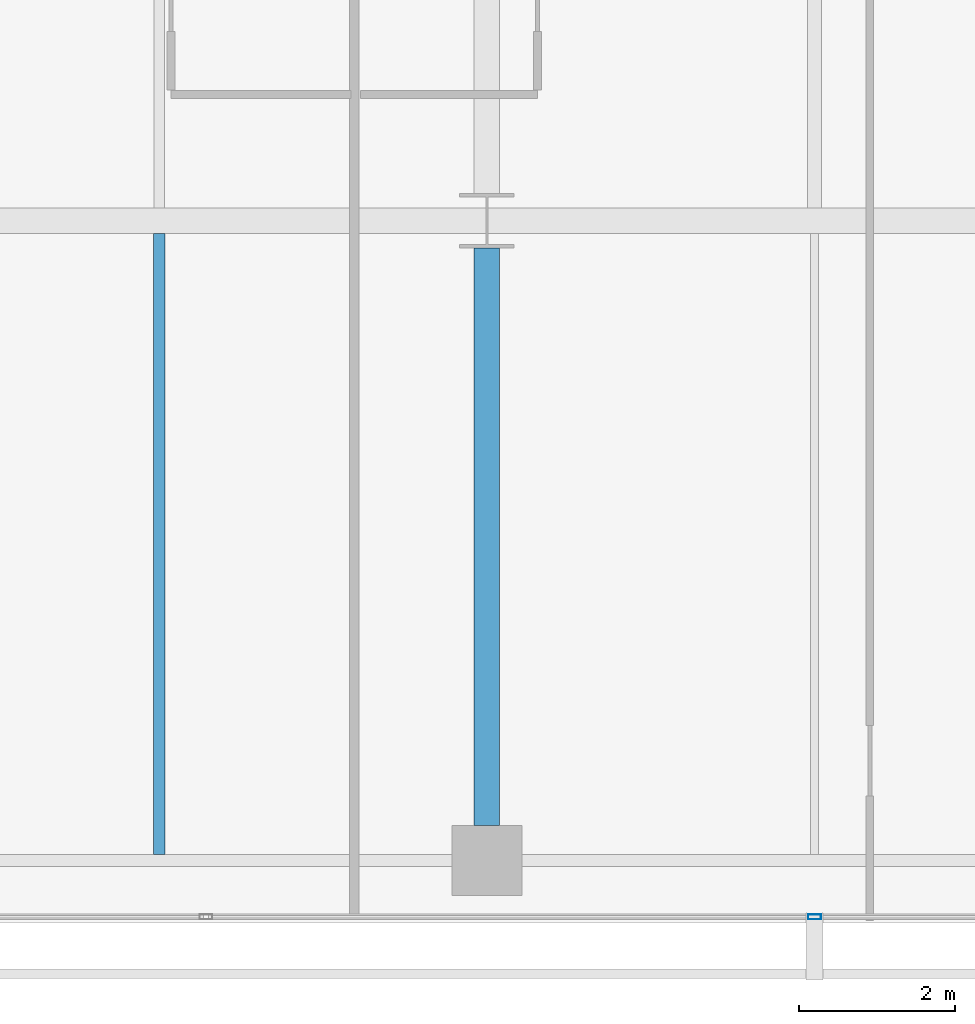
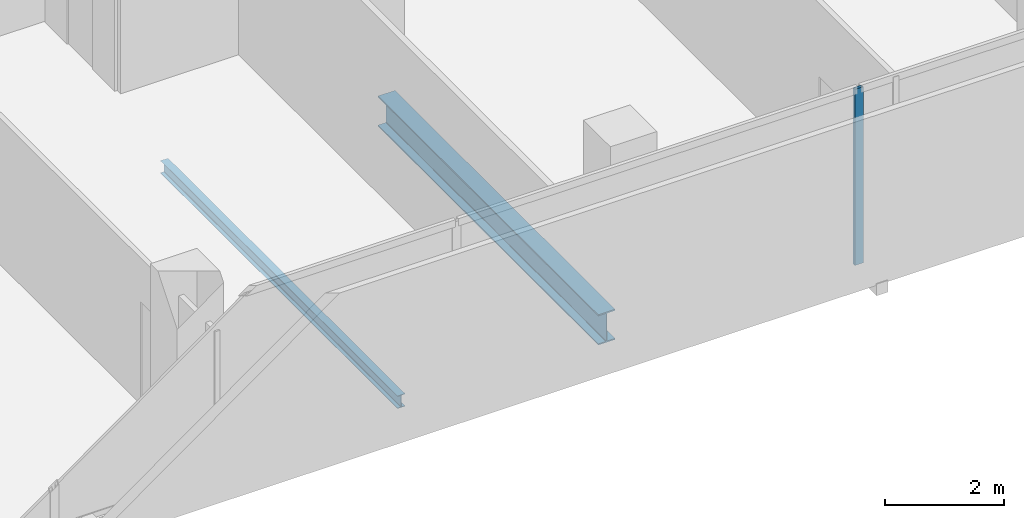
# One storey, part 8 of 40: 2 beams, 1 member, 1 element without a shape of its own.
"""IFC4 building model written with IfcOpenShell, lengths in metres."""

from ifc_helpers import new_model, si_unit, direction, frame, origin, origin_2d, place, context, subcontext, project, spatial, hollow_rectangle, i_section, extrude, material, layer, layer_set, material_profile, profile_set, type_object, element, aggregate, save


model = new_model("IFC4")

# Units and contexts
model_context = context("Model", 3, precision=1e-05, world=origin(), true_north=direction((0.0, 1.0)))
body_context = subcontext(model_context, "Body", "Model", "MODEL_VIEW")
ifc_project = project(units=[si_unit("LENGTHUNIT", "METRE"), si_unit("AREAUNIT", "SQUARE_METRE"), si_unit("VOLUMEUNIT", "CUBIC_METRE"), si_unit("PLANEANGLEUNIT", "RADIAN"), si_unit("MASSUNIT", "GRAM", prefix="KILO")], contexts=[model_context])

# Site, building, storey
site_placement = place(None, origin())
site = spatial("IfcSite", under=ifc_project, at=site_placement, CompositionType="ELEMENT")
building_placement = place(site_placement, origin())
building = spatial("IfcBuilding", under=site, at=building_placement, Name="Maruvema Waterfront Hotel and Observation Tower", CompositionType="ELEMENT")
storey_placement = place(building_placement, frame((0.0, 0.0, 73.14990234375)))
storey = spatial("IfcBuildingStorey", under=building, at=storey_placement, Name="L17", CompositionType="ELEMENT", Elevation=73.14990234375)

# Curtain wall, member
ifc_material_1 = material(Name="Anodised bronze aluminium and solar-control low-E IGU", Category="aluminium")
ifc_layer = layer(ifc_material_1, 0.159912109375, Name="Zone 1 Bronze Inner Thermal Curtain Wall System CW-02")
ifc_layer_set = layer_set([ifc_layer], Name="Anodised bronze aluminium and solar-control low-E IGU")
curtain_wall_type = type_object("IfcCurtainWallType", Name="Zone 1 Bronze Inner Thermal Curtain Wall System CW-02", PredefinedType="USERDEFINED", material=ifc_layer_set)
curtain_wall_placement = place(storey_placement, origin())
curtain_wall = element("IfcCurtainWall", 1, at=curtain_wall_placement, inside=storey, type_object=curtain_wall_type, Name="L17 Curtain Wall CW-L17-S", ObjectType="UNITISED CURTAIN WALL", PredefinedType="USERDEFINED")
ifc_material_2 = material(Name="Anodised architectural bronze aluminium", Category="aluminium")
ifc_material_profile_1 = material_profile(ifc_material_2, hollow_rectangle(XDim=0.06494140625, YDim=0.1650390625, WallThickness=0.00390625, at=origin_2d()), Name="ALU-M65x165")
ifc_profile_set_1 = profile_set([ifc_material_profile_1], Name="Anodised architectural bronze aluminium")
member_type = type_object("IfcMemberType", Name="Curtain Wall Primary Mullion ALU-M65x165", PredefinedType="MULLION", material=ifc_profile_set_1)
member_placement = place(storey_placement, frame((37.800048828125, 0.080078125, 0.0), z_axis=(0.0, 0.0, 1.0), x_axis=(0.0, 1.0, 0.0)))
member = element("IfcMember", 2, at=member_placement, type_object=member_type, Name="CW-02 mullion 4", PredefinedType="MULLION", context=body_context, shape_type="SweptSolid", body=[
    extrude(hollow_rectangle(XDim=0.06494140625, YDim=0.1650390625, WallThickness=0.00390625, at=origin_2d()), origin(), (0.0, 0.0, 1.0), 3.610107421875),
])
aggregate(curtain_wall, [member])

# Beams
ifc_material_3 = material(Name="Steel ASTM A572 Grade 50", Category="steel")
ifc_material_profile_2 = material_profile(ifc_material_3, i_section(OverallWidth=0.326904296875, OverallDepth=0.6220703125, WebThickness=0.015380859375, FlangeThickness=0.0244140625, FilletRadius=0.01806640625, at=origin_2d()), Name="W610x195.0")
ifc_profile_set_2 = profile_set([ifc_material_profile_2], Name="Steel ASTM A572 Grade 50")
beam_type_1 = type_object("IfcBeamType", Name="Primary Floor Girder W610x195.0", PredefinedType="BEAM", material=ifc_profile_set_2)
beam_1_placement = place(storey_placement, frame((33.60009765625, 1.25, -0.55078125), z_axis=(0.0, 1.0, 0.0), x_axis=(-1.0, 0.0, 0.0)))
element("IfcBeam", 3, at=beam_1_placement, inside=storey, type_object=beam_type_1, Name="L17 Floor Girder NS-16", PredefinedType="BEAM", context=body_context, shape_type="SweptSolid", body=[
    extrude(i_section(OverallWidth=0.326904296875, OverallDepth=0.6220703125, WebThickness=0.015380859375, FlangeThickness=0.0244140625, FilletRadius=0.01806640625, at=origin_2d()), origin(), (0.0, 0.0, 1.0), 7.39990234375),
])
ifc_material_4 = material(Name="Steel ASTM A572 Grade 50", Category="steel")
ifc_material_profile_3 = material_profile(ifc_material_4, i_section(OverallWidth=0.14599609375, OverallDepth=0.258056640625, WebThickness=0.006103515625, FlangeThickness=0.009033203125, FilletRadius=0.012939453125, at=origin_2d()), Name="W250x32.7")
ifc_profile_set_3 = profile_set([ifc_material_profile_3], Name="Steel ASTM A572 Grade 50")
beam_type_2 = type_object("IfcBeamType", Name="Secondary Floor Joist W250x32.7", PredefinedType="JOIST", material=ifc_profile_set_3)
beam_2_placement = place(storey_placement, frame((29.39990234375, 0.87646484375, -0.368896484375), z_axis=(0.0, 1.0, 0.0), x_axis=(-1.0, 0.0, 0.0)))
element("IfcBeam", 4, at=beam_2_placement, inside=storey, type_object=beam_type_2, Name="L17 Secondary Floor Joist JS-10", PredefinedType="JOIST", context=body_context, shape_type="SweptSolid", body=[
    extrude(i_section(OverallWidth=0.14599609375, OverallDepth=0.258056640625, WebThickness=0.006103515625, FlangeThickness=0.009033203125, FilletRadius=0.012939453125, at=origin_2d()), origin(), (0.0, 0.0, 1.0), 7.9599609375),
])

save(model, "model.ifc")
